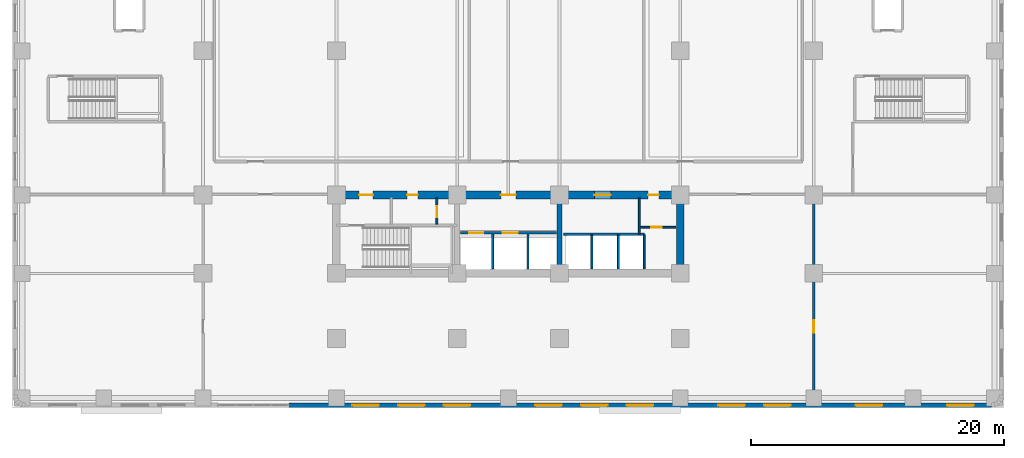
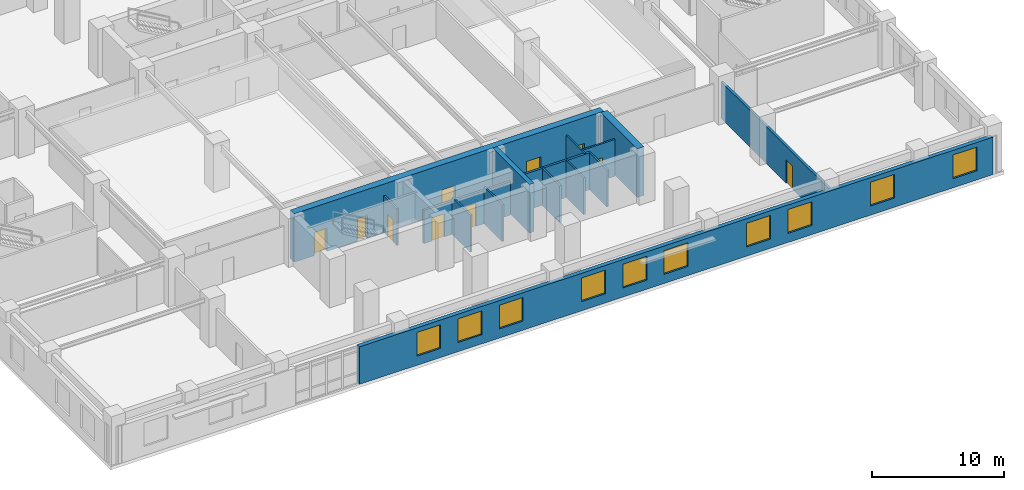
# One storey, part 7 of 15: 15 walls, 10 doors, 10 windows, 20 openings.
"""IFC4 building model written with IfcOpenShell, lengths in metres."""

from ifc_helpers import new_model, si_unit, direction, frame, frame_2d, origin, place, context, subcontext, project, spatial, rectangle, extrude, material, layer, layer_set, type_object, element, fill, save


model = new_model("IFC4")

# Units and contexts
model_context = context("Model", 3, precision=1e-05, world=origin(), true_north=direction((0.0, 1.0)))
body_context = subcontext(model_context, "Body", "Model", "MODEL_VIEW")
ifc_project = project(units=[si_unit("LENGTHUNIT", "METRE"), si_unit("AREAUNIT", "SQUARE_METRE"), si_unit("VOLUMEUNIT", "CUBIC_METRE"), si_unit("PLANEANGLEUNIT", "RADIAN"), si_unit("MASSUNIT", "GRAM", prefix="KILO")], contexts=[model_context])

# Site, building, storey
site_placement = place(None, origin())
site = spatial("IfcSite", under=ifc_project, at=site_placement, CompositionType="ELEMENT")
building_placement = place(site_placement, origin())
building = spatial("IfcBuilding", under=site, at=building_placement, Name="Svetorya Sky Lyceum", CompositionType="ELEMENT")
storey_placement = place(building_placement, frame((0.0, 0.0, 6.60009765625)))
storey = spatial("IfcBuildingStorey", under=building, at=storey_placement, Name="L01", CompositionType="ELEMENT", Elevation=6.60009765625)

# Walls
ifc_material_1 = material(Name="Concrete C40/50", Category="concrete")
ifc_layer_1 = layer(ifc_material_1, 0.39990234375)
ifc_layer_set_1 = layer_set([ifc_layer_1], Name="Concrete C40/50")
wall_type_1 = type_object("IfcWallType", Name="WL-CORE-400", PredefinedType="SHEAR", material=ifc_layer_set_1)
wall_1_placement = place(storey_placement, frame((43.25, 10.89990234375, 0.0), z_axis=(0.0, 0.0, 1.0), x_axis=(0.0, 1.0, 0.0)))
element("IfcWall", 1, at=wall_1_placement, inside=storey, type_object=wall_type_1, Name="L01 SC Internal Shear Web WEB2", PredefinedType="SHEAR", context=body_context, shape_type="SweptSolid", body=[
    extrude(rectangle(XDim=5.60009765625, YDim=0.39990234375, at=frame_2d((2.800048828125, 0.0))), origin(), (0.0, 0.0, 1.0), 4.5),
])
ifc_material_2 = material(Name="Concrete C60/75", Category="concrete")
ifc_layer_2 = layer(ifc_material_2, 0.60009765625)
ifc_layer_set_2 = layer_set([ifc_layer_2], Name="Concrete C60/75")
wall_type_2 = type_object("IfcWallType", Name="WL-CORE-600", PredefinedType="SHEAR", material=ifc_layer_set_2)
wall_2_placement = place(storey_placement, frame((52.800048828125, 10.89990234375, 0.0), z_axis=(0.0, 0.0, 1.0), x_axis=(0.0, 1.0, 0.0)))
element("IfcWall", 2, at=wall_2_placement, inside=storey, type_object=wall_type_2, Name="L01 SC East Core Shear Wall", PredefinedType="SHEAR", context=body_context, shape_type="SweptSolid", body=[
    extrude(rectangle(XDim=5.60009765625, YDim=0.60009765625, at=frame_2d((2.800048828125, 0.0))), origin(), (0.0, 0.0, 1.0), 4.5),
])

# Wall, openings, doors
wall_3_placement = place(storey_placement, frame((25.60009765625, 16.800048828125, 0.0), z_axis=(0.0, 0.0, 1.0), x_axis=(1.0, 0.0, 0.0)))
wall_3 = element("IfcWall", 3, at=wall_3_placement, inside=storey, type_object=wall_type_2, Name="L01 SC Inner Core Shear Wall", PredefinedType="SHEAR", context=body_context, shape_type="SweptSolid", body=[
    extrude(rectangle(XDim=27.199951171875, YDim=0.60009765625, at=frame_2d((13.60009765625, 0.0))), origin(), (0.0, 0.0, 1.0), 4.5),
])
opening_1_placement = place(wall_3_placement, frame((1.800048828125, 0.0, 0.0)))
opening_1 = element("IfcOpeningElement", 4, at=opening_1_placement, cuts=wall_3, Name="Opening D-ST1", PredefinedType="OPENING", context=body_context, shape_type="SweptSolid", body=[
    extrude(rectangle(XDim=1.10009765625, YDim=2.14990234375, at=frame_2d((0.550048828125, 1.074951171875))), frame((0.0, 0.31005859375, 0.0), z_axis=(0.0, -1.0, 0.0), x_axis=(1.0, 0.0, 0.0)), (0.0, 0.0, 1.0), 0.6201171875),
])
opening_2_placement = place(wall_3_placement, frame((5.60009765625, 0.0, 0.0)))
opening_2 = element("IfcOpeningElement", 5, at=opening_2_placement, cuts=wall_3, Name="Opening D-CWC1", PredefinedType="OPENING", context=body_context, shape_type="SweptSolid", body=[
    extrude(rectangle(XDim=0.85009765625, YDim=2.10009765625, at=frame_2d((0.425048828125, 1.050048828125))), frame((0.0, 0.31005859375, 0.0), z_axis=(0.0, -1.0, 0.0), x_axis=(1.0, 0.0, 0.0)), (0.0, 0.0, 1.0), 0.6201171875),
])
opening_3_placement = place(wall_3_placement, frame((13.0, 0.0, 0.0)))
opening_3 = element("IfcOpeningElement", 6, at=opening_3_placement, cuts=wall_3, Name="Opening D-FL1", PredefinedType="OPENING", context=body_context, shape_type="SweptSolid", body=[
    extrude(rectangle(XDim=1.199951171875, YDim=2.14990234375, at=frame_2d((0.60009765625, 1.074951171875))), frame((0.0, 0.31005859375, 0.0), z_axis=(0.0, -1.0, 0.0), x_axis=(1.0, 0.0, 0.0)), (0.0, 0.0, 1.0), 0.6201171875),
])
opening_4_placement = place(wall_3_placement, frame((20.39990234375, 0.0, 0.0)))
opening_4 = element("IfcOpeningElement", 7, at=opening_4_placement, cuts=wall_3, Name="Opening D-LB1", PredefinedType="OPENING", context=body_context, shape_type="SweptSolid", body=[
    extrude(rectangle(XDim=1.300048828125, YDim=2.199951171875, at=frame_2d((0.64990234375, 1.10009765625))), frame((0.0, 0.31005859375, 0.0), z_axis=(0.0, -1.0, 0.0), x_axis=(1.0, 0.0, 0.0)), (0.0, 0.0, 1.0), 0.6201171875),
])
opening_5_placement = place(wall_3_placement, frame((24.64990234375, 0.0, 0.0)))
opening_5 = element("IfcOpeningElement", 8, at=opening_5_placement, cuts=wall_3, Name="Opening D-CWC1", PredefinedType="OPENING", context=body_context, shape_type="SweptSolid", body=[
    extrude(rectangle(XDim=0.85009765625, YDim=2.10009765625, at=frame_2d((0.425048828125, 1.050048828125))), frame((0.0, 0.31005859375, 0.0), z_axis=(0.0, -1.0, 0.0), x_axis=(1.0, 0.0, 0.0)), (0.0, 0.0, 1.0), 0.6201171875),
])
ifc_material_3 = material(Name="Fire-rated galvanized steel core service closet door", Category="steel")
door_type_1 = type_object("IfcDoorType", Name="DR-CWET-850", OperationType="SINGLE_SWING_LEFT", PredefinedType="DOOR", material=ifc_material_3)
door_1_placement = place(opening_2_placement, origin())
door_1 = element("IfcDoor", 9, at=door_1_placement, inside=storey, type_object=door_type_1, Name="L01 South Hydrant Room Door", OperationType="SINGLE_SWING_LEFT", OverallHeight=2.10009765625, OverallWidth=0.85009765625, PredefinedType="DOOR", context=body_context, shape_type="SweptSolid", body=[
    extrude(rectangle(XDim=0.85009765625, YDim=2.10009765625, at=frame_2d((0.425048828125, 1.050048828125))), frame((0.0, 0.02490234375, 0.0), z_axis=(0.0, -1.0, 0.0), x_axis=(1.0, 0.0, 0.0)), (0.0, 0.0, 1.0), 0.050048828125),
])
fill(opening_2, door_1)
door_2_placement = place(opening_5_placement, origin())
door_2 = element("IfcDoor", 10, at=door_2_placement, inside=storey, type_object=door_type_1, Name="L01 South Core Auxiliary Door", OperationType="SINGLE_SWING_LEFT", OverallHeight=2.10009765625, OverallWidth=0.85009765625, PredefinedType="DOOR", context=body_context, shape_type="SweptSolid", body=[
    extrude(rectangle(XDim=0.85009765625, YDim=2.10009765625, at=frame_2d((0.425048828125, 1.050048828125))), frame((0.0, 0.02490234375, 0.0), z_axis=(0.0, -1.0, 0.0), x_axis=(1.0, 0.0, 0.0)), (0.0, 0.0, 1.0), 0.050048828125),
])
fill(opening_5, door_2)
ifc_material_4 = material(Name="Powder-coated insulated galvanized stair fire door")
door_type_2 = type_object("IfcDoorType", Name="DR-FIRE-1100", OperationType="SINGLE_SWING_LEFT", PredefinedType="DOOR", material=ifc_material_4)
door_3_placement = place(opening_1_placement, origin())
door_3 = element("IfcDoor", 11, at=door_3_placement, inside=storey, type_object=door_type_2, Name="L01 South Stair Airlock Door", OperationType="SINGLE_SWING_RIGHT", OverallHeight=2.14990234375, OverallWidth=1.10009765625, PredefinedType="DOOR", context=body_context, shape_type="SweptSolid", body=[
    extrude(rectangle(XDim=1.10009765625, YDim=2.14990234375, at=frame_2d((0.550048828125, 1.074951171875))), frame((0.0, 0.02490234375, 0.0), z_axis=(0.0, -1.0, 0.0), x_axis=(1.0, 0.0, 0.0)), (0.0, 0.0, 1.0), 0.050048828125),
])
fill(opening_1, door_3)
ifc_material_5 = material(Name="Powder-coated insulated galvanized fire door")
door_type_3 = type_object("IfcDoorType", Name="DR-FIRE-1200", OperationType="SINGLE_SWING_LEFT", PredefinedType="DOOR", material=ifc_material_5)
door_4_placement = place(opening_3_placement, origin())
door_4 = element("IfcDoor", 12, at=door_4_placement, inside=storey, type_object=door_type_3, Name="L01 South Firefighting Lift Lobby Door", OperationType="SINGLE_SWING_LEFT", OverallHeight=2.14990234375, OverallWidth=1.199951171875, PredefinedType="DOOR", context=body_context, shape_type="SweptSolid", body=[
    extrude(rectangle(XDim=1.199951171875, YDim=2.14990234375, at=frame_2d((0.60009765625, 1.074951171875))), frame((0.0, 0.02490234375, 0.0), z_axis=(0.0, -1.0, 0.0), x_axis=(1.0, 0.0, 0.0)), (0.0, 0.0, 1.0), 0.050048828125),
])
fill(opening_3, door_4)
ifc_material_6 = material(Name="Glazed fire-rated aluminium lobby door", Category="aluminium")
door_type_4 = type_object("IfcDoorType", Name="DR-LOB-1300", OperationType="SINGLE_SWING_LEFT", PredefinedType="DOOR", material=ifc_material_6)
door_5_placement = place(opening_4_placement, origin())
door_5 = element("IfcDoor", 13, at=door_5_placement, inside=storey, type_object=door_type_4, Name="L01 Low-Rise Lift Lobby Door", OperationType="SINGLE_SWING_RIGHT", OverallHeight=2.199951171875, OverallWidth=1.300048828125, PredefinedType="DOOR", context=body_context, shape_type="SweptSolid", body=[
    extrude(rectangle(XDim=1.300048828125, YDim=2.199951171875, at=frame_2d((0.64990234375, 1.10009765625))), frame((0.0, 0.02490234375, 0.0), z_axis=(0.0, -1.0, 0.0), x_axis=(1.0, 0.0, 0.0)), (0.0, 0.0, 1.0), 0.050048828125),
])
fill(opening_4, door_5)

# Wall, openings, windows
ifc_material_7 = material(Name="Putilovo limestone rainscreen on autoclaved cellular masonry", Category="masonry")
ifc_layer_3 = layer(ifc_material_7, 0.360107421875)
ifc_layer_set_3 = layer_set([ifc_layer_3], Name="Putilovo limestone rainscreen on autoclaved cellular masonry")
wall_type_3 = type_object("IfcWallType", Name="WL-EXT-360", PredefinedType="SOLIDWALL", material=ifc_layer_set_3)
wall_4_placement = place(storey_placement, frame((21.830078125, 0.179931640625, 0.0), z_axis=(0.0, 0.0, 1.0), x_axis=(1.0, 0.0, 0.0)))
wall_4 = element("IfcWall", 14, at=wall_4_placement, inside=storey, type_object=wall_type_3, Name="L01 Limestone Exterior Wall 6B", PredefinedType="SOLIDWALL", context=body_context, shape_type="SweptSolid", body=[
    extrude(rectangle(XDim=55.58984375, YDim=0.360107421875, at=frame_2d((27.794921875, 0.0))), origin(), (0.0, 0.0, 1.0), 3.47998046875),
])
opening_6_placement = place(wall_4_placement, frame((5.029052734375, 0.0, 0.85009765625)))
opening_6 = element("IfcOpeningElement", 15, at=opening_6_placement, cuts=wall_4, Name="Opening W-S3", PredefinedType="OPENING", context=body_context, shape_type="SweptSolid", body=[
    extrude(rectangle(XDim=2.10009765625, YDim=2.199951171875, at=frame_2d((1.050048828125, 1.10009765625))), frame((0.0, 0.18994140625, 0.0), z_axis=(0.0, -1.0, 0.0), x_axis=(1.0, 0.0, 0.0)), (0.0, 0.0, 1.0), 0.380126953125),
])
opening_7_placement = place(wall_4_placement, frame((8.648193359375, 0.0, 0.85009765625)))
opening_7 = element("IfcOpeningElement", 16, at=opening_7_placement, cuts=wall_4, Name="Opening W-S3", PredefinedType="OPENING", context=body_context, shape_type="SweptSolid", body=[
    extrude(rectangle(XDim=2.10009765625, YDim=2.199951171875, at=frame_2d((1.050048828125, 1.10009765625))), frame((0.0, 0.18994140625, 0.0), z_axis=(0.0, -1.0, 0.0), x_axis=(1.0, 0.0, 0.0)), (0.0, 0.0, 1.0), 0.380126953125),
])
opening_8_placement = place(wall_4_placement, frame((12.267578125, 0.0, 0.85009765625)))
opening_8 = element("IfcOpeningElement", 17, at=opening_8_placement, cuts=wall_4, Name="Opening W-S3", PredefinedType="OPENING", context=body_context, shape_type="SweptSolid", body=[
    extrude(rectangle(XDim=2.10009765625, YDim=2.199951171875, at=frame_2d((1.050048828125, 1.10009765625))), frame((0.0, 0.18994140625, 0.0), z_axis=(0.0, -1.0, 0.0), x_axis=(1.0, 0.0, 0.0)), (0.0, 0.0, 1.0), 0.380126953125),
])
opening_9_placement = place(wall_4_placement, frame((19.50634765625, 0.0, 0.85009765625)))
opening_9 = element("IfcOpeningElement", 18, at=opening_9_placement, cuts=wall_4, Name="Opening W-S3", PredefinedType="OPENING", context=body_context, shape_type="SweptSolid", body=[
    extrude(rectangle(XDim=2.10009765625, YDim=2.199951171875, at=frame_2d((1.050048828125, 1.10009765625))), frame((0.0, 0.18994140625, 0.0), z_axis=(0.0, -1.0, 0.0), x_axis=(1.0, 0.0, 0.0)), (0.0, 0.0, 1.0), 0.380126953125),
])
opening_10_placement = place(wall_4_placement, frame((23.125732421875, 0.0, 0.85009765625)))
opening_10 = element("IfcOpeningElement", 19, at=opening_10_placement, cuts=wall_4, Name="Opening W-S3", PredefinedType="OPENING", context=body_context, shape_type="SweptSolid", body=[
    extrude(rectangle(XDim=2.10009765625, YDim=2.199951171875, at=frame_2d((1.050048828125, 1.10009765625))), frame((0.0, 0.18994140625, 0.0), z_axis=(0.0, -1.0, 0.0), x_axis=(1.0, 0.0, 0.0)), (0.0, 0.0, 1.0), 0.380126953125),
])
opening_11_placement = place(wall_4_placement, frame((26.7451171875, 0.0, 0.85009765625)))
opening_11 = element("IfcOpeningElement", 20, at=opening_11_placement, cuts=wall_4, Name="Opening W-S3", PredefinedType="OPENING", context=body_context, shape_type="SweptSolid", body=[
    extrude(rectangle(XDim=2.10009765625, YDim=2.199951171875, at=frame_2d((1.050048828125, 1.10009765625))), frame((0.0, 0.18994140625, 0.0), z_axis=(0.0, -1.0, 0.0), x_axis=(1.0, 0.0, 0.0)), (0.0, 0.0, 1.0), 0.380126953125),
])
opening_12_placement = place(wall_4_placement, frame((33.983642578125, 0.0, 0.85009765625)))
opening_12 = element("IfcOpeningElement", 21, at=opening_12_placement, cuts=wall_4, Name="Opening W-S3", PredefinedType="OPENING", context=body_context, shape_type="SweptSolid", body=[
    extrude(rectangle(XDim=2.10009765625, YDim=2.199951171875, at=frame_2d((1.050048828125, 1.10009765625))), frame((0.0, 0.18994140625, 0.0), z_axis=(0.0, -1.0, 0.0), x_axis=(1.0, 0.0, 0.0)), (0.0, 0.0, 1.0), 0.380126953125),
])
opening_13_placement = place(wall_4_placement, frame((37.60302734375, 0.0, 0.85009765625)))
opening_13 = element("IfcOpeningElement", 22, at=opening_13_placement, cuts=wall_4, Name="Opening W-S3", PredefinedType="OPENING", context=body_context, shape_type="SweptSolid", body=[
    extrude(rectangle(XDim=2.10009765625, YDim=2.199951171875, at=frame_2d((1.050048828125, 1.10009765625))), frame((0.0, 0.18994140625, 0.0), z_axis=(0.0, -1.0, 0.0), x_axis=(1.0, 0.0, 0.0)), (0.0, 0.0, 1.0), 0.380126953125),
])
opening_14_placement = place(wall_4_placement, frame((44.841796875, 0.0, 0.85009765625)))
opening_14 = element("IfcOpeningElement", 23, at=opening_14_placement, cuts=wall_4, Name="Opening W-S3", PredefinedType="OPENING", context=body_context, shape_type="SweptSolid", body=[
    extrude(rectangle(XDim=2.10009765625, YDim=2.199951171875, at=frame_2d((1.050048828125, 1.10009765625))), frame((0.0, 0.18994140625, 0.0), z_axis=(0.0, -1.0, 0.0), x_axis=(1.0, 0.0, 0.0)), (0.0, 0.0, 1.0), 0.380126953125),
])
opening_15_placement = place(wall_4_placement, frame((52.080322265625, 0.0, 0.85009765625)))
opening_15 = element("IfcOpeningElement", 24, at=opening_15_placement, cuts=wall_4, Name="Opening W-S3", PredefinedType="OPENING", context=body_context, shape_type="SweptSolid", body=[
    extrude(rectangle(XDim=2.10009765625, YDim=2.199951171875, at=frame_2d((1.050048828125, 1.10009765625))), frame((0.0, 0.18994140625, 0.0), z_axis=(0.0, -1.0, 0.0), x_axis=(1.0, 0.0, 0.0)), (0.0, 0.0, 1.0), 0.380126953125),
])
ifc_material_8 = material(Name="Thermally broken aluminium frame with triple low-E glazing", Category="aluminium")
window_type = type_object("IfcWindowType", Name="WN-SCH-210", PartitioningType="TRIPLE_PANEL_VERTICAL", PredefinedType="WINDOW", material=ifc_material_8)
window_1_placement = place(opening_6_placement, origin())
window_1 = element("IfcWindow", 25, at=window_1_placement, inside=storey, type_object=window_type, Name="L01 Facade Window W-S3.6B.1", OverallHeight=2.199951171875, OverallWidth=2.10009765625, PartitioningType="SINGLE_PANEL", PredefinedType="WINDOW", context=body_context, shape_type="SweptSolid", body=[
    extrude(rectangle(XDim=2.10009765625, YDim=2.199951171875, at=frame_2d((1.050048828125, 1.10009765625))), frame((0.0, 0.030029296875, 0.0), z_axis=(0.0, -1.0, 0.0), x_axis=(1.0, 0.0, 0.0)), (0.0, 0.0, 1.0), 0.06005859375),
])
fill(opening_6, window_1)
window_2_placement = place(opening_7_placement, origin())
window_2 = element("IfcWindow", 26, at=window_2_placement, inside=storey, type_object=window_type, Name="L01 Facade Window W-S3.6B.2", OverallHeight=2.199951171875, OverallWidth=2.10009765625, PartitioningType="SINGLE_PANEL", PredefinedType="WINDOW", context=body_context, shape_type="SweptSolid", body=[
    extrude(rectangle(XDim=2.10009765625, YDim=2.199951171875, at=frame_2d((1.050048828125, 1.10009765625))), frame((0.0, 0.030029296875, 0.0), z_axis=(0.0, -1.0, 0.0), x_axis=(1.0, 0.0, 0.0)), (0.0, 0.0, 1.0), 0.06005859375),
])
fill(opening_7, window_2)
window_3_placement = place(opening_8_placement, origin())
window_3 = element("IfcWindow", 27, at=window_3_placement, inside=storey, type_object=window_type, Name="L01 Facade Window W-S3.6B.3", OverallHeight=2.199951171875, OverallWidth=2.10009765625, PartitioningType="SINGLE_PANEL", PredefinedType="WINDOW", context=body_context, shape_type="SweptSolid", body=[
    extrude(rectangle(XDim=2.10009765625, YDim=2.199951171875, at=frame_2d((1.050048828125, 1.10009765625))), frame((0.0, 0.030029296875, 0.0), z_axis=(0.0, -1.0, 0.0), x_axis=(1.0, 0.0, 0.0)), (0.0, 0.0, 1.0), 0.06005859375),
])
fill(opening_8, window_3)
window_4_placement = place(opening_9_placement, origin())
window_4 = element("IfcWindow", 28, at=window_4_placement, inside=storey, type_object=window_type, Name="L01 Facade Window W-S3.6B.4", OverallHeight=2.199951171875, OverallWidth=2.10009765625, PartitioningType="SINGLE_PANEL", PredefinedType="WINDOW", context=body_context, shape_type="SweptSolid", body=[
    extrude(rectangle(XDim=2.10009765625, YDim=2.199951171875, at=frame_2d((1.050048828125, 1.10009765625))), frame((0.0, 0.030029296875, 0.0), z_axis=(0.0, -1.0, 0.0), x_axis=(1.0, 0.0, 0.0)), (0.0, 0.0, 1.0), 0.06005859375),
])
fill(opening_9, window_4)
window_5_placement = place(opening_10_placement, origin())
window_5 = element("IfcWindow", 29, at=window_5_placement, inside=storey, type_object=window_type, Name="L01 Facade Window W-S3.6B.5", OverallHeight=2.199951171875, OverallWidth=2.10009765625, PartitioningType="SINGLE_PANEL", PredefinedType="WINDOW", context=body_context, shape_type="SweptSolid", body=[
    extrude(rectangle(XDim=2.10009765625, YDim=2.199951171875, at=frame_2d((1.050048828125, 1.10009765625))), frame((0.0, 0.030029296875, 0.0), z_axis=(0.0, -1.0, 0.0), x_axis=(1.0, 0.0, 0.0)), (0.0, 0.0, 1.0), 0.06005859375),
])
fill(opening_10, window_5)
window_6_placement = place(opening_11_placement, origin())
window_6 = element("IfcWindow", 30, at=window_6_placement, inside=storey, type_object=window_type, Name="L01 Facade Window W-S3.6B.6", OverallHeight=2.199951171875, OverallWidth=2.10009765625, PartitioningType="SINGLE_PANEL", PredefinedType="WINDOW", context=body_context, shape_type="SweptSolid", body=[
    extrude(rectangle(XDim=2.10009765625, YDim=2.199951171875, at=frame_2d((1.050048828125, 1.10009765625))), frame((0.0, 0.030029296875, 0.0), z_axis=(0.0, -1.0, 0.0), x_axis=(1.0, 0.0, 0.0)), (0.0, 0.0, 1.0), 0.06005859375),
])
fill(opening_11, window_6)
window_7_placement = place(opening_12_placement, origin())
window_7 = element("IfcWindow", 31, at=window_7_placement, inside=storey, type_object=window_type, Name="L01 Facade Window W-S3.6B.7", OverallHeight=2.199951171875, OverallWidth=2.10009765625, PartitioningType="SINGLE_PANEL", PredefinedType="WINDOW", context=body_context, shape_type="SweptSolid", body=[
    extrude(rectangle(XDim=2.10009765625, YDim=2.199951171875, at=frame_2d((1.050048828125, 1.10009765625))), frame((0.0, 0.030029296875, 0.0), z_axis=(0.0, -1.0, 0.0), x_axis=(1.0, 0.0, 0.0)), (0.0, 0.0, 1.0), 0.06005859375),
])
fill(opening_12, window_7)
window_8_placement = place(opening_13_placement, origin())
window_8 = element("IfcWindow", 32, at=window_8_placement, inside=storey, type_object=window_type, Name="L01 Facade Window W-S3.6B.8", OverallHeight=2.199951171875, OverallWidth=2.10009765625, PartitioningType="SINGLE_PANEL", PredefinedType="WINDOW", context=body_context, shape_type="SweptSolid", body=[
    extrude(rectangle(XDim=2.10009765625, YDim=2.199951171875, at=frame_2d((1.050048828125, 1.10009765625))), frame((0.0, 0.030029296875, 0.0), z_axis=(0.0, -1.0, 0.0), x_axis=(1.0, 0.0, 0.0)), (0.0, 0.0, 1.0), 0.06005859375),
])
fill(opening_13, window_8)
window_9_placement = place(opening_14_placement, origin())
window_9 = element("IfcWindow", 33, at=window_9_placement, inside=storey, type_object=window_type, Name="L01 Facade Window W-S3.6B.9", OverallHeight=2.199951171875, OverallWidth=2.10009765625, PartitioningType="SINGLE_PANEL", PredefinedType="WINDOW", context=body_context, shape_type="SweptSolid", body=[
    extrude(rectangle(XDim=2.10009765625, YDim=2.199951171875, at=frame_2d((1.050048828125, 1.10009765625))), frame((0.0, 0.030029296875, 0.0), z_axis=(0.0, -1.0, 0.0), x_axis=(1.0, 0.0, 0.0)), (0.0, 0.0, 1.0), 0.06005859375),
])
fill(opening_14, window_9)
window_10_placement = place(opening_15_placement, origin())
window_10 = element("IfcWindow", 34, at=window_10_placement, inside=storey, type_object=window_type, Name="L01 Facade Window W-S3.6B.10", OverallHeight=2.199951171875, OverallWidth=2.10009765625, PartitioningType="SINGLE_PANEL", PredefinedType="WINDOW", context=body_context, shape_type="SweptSolid", body=[
    extrude(rectangle(XDim=2.10009765625, YDim=2.199951171875, at=frame_2d((1.050048828125, 1.10009765625))), frame((0.0, 0.030029296875, 0.0), z_axis=(0.0, -1.0, 0.0), x_axis=(1.0, 0.0, 0.0)), (0.0, 0.0, 1.0), 0.06005859375),
])
fill(opening_15, window_10)

# Wall, opening, door
ifc_material_9 = material(Name="Autoclaved cellular masonry blockwork with acoustic render", Category="masonry")
ifc_layer_4 = layer(ifc_material_9, 0.14990234375)
ifc_layer_set_4 = layer_set([ifc_layer_4], Name="Autoclaved cellular masonry blockwork with acoustic render")
wall_type_4 = type_object("IfcWallType", Name="WL-PART-150", PredefinedType="PARTITIONING", material=ifc_layer_set_4)
wall_5_placement = place(storey_placement, frame((33.550048828125, 14.5, 0.0), z_axis=(0.0, 0.0, 1.0), x_axis=(0.0, 1.0, 0.0)))
wall_5 = element("IfcWall", 35, at=wall_5_placement, inside=storey, type_object=wall_type_4, Name="L01 Interior Partition SC-SWD2", PredefinedType="PARTITIONING", context=body_context, shape_type="SweptSolid", body=[
    extrude(rectangle(XDim=2.080078125, YDim=0.14990234375, at=frame_2d((1.0400390625, 0.0))), origin(), (0.0, 0.0, 1.0), 3.419921875),
])
opening_16_placement = place(wall_5_placement, frame((0.550048828125, 0.0, 0.0)))
opening_16 = element("IfcOpeningElement", 36, at=opening_16_placement, cuts=wall_5, Name="Opening D-SH1", PredefinedType="OPENING", context=body_context, shape_type="SweptSolid", body=[
    extrude(rectangle(XDim=0.85009765625, YDim=2.050048828125, at=frame_2d((0.425048828125, 1.02490234375))), frame((0.0, 0.0849609375, 0.0), z_axis=(0.0, -1.0, 0.0), x_axis=(1.0, 0.0, 0.0)), (0.0, 0.0, 1.0), 0.169921875),
])
ifc_material_10 = material(Name="Insulated galvanized riser inspection fire door")
door_type_5 = type_object("IfcDoorType", Name="DR-SHFT-850", OperationType="SINGLE_SWING_LEFT", PredefinedType="TRAPDOOR", material=ifc_material_10)
door_6_placement = place(opening_16_placement, origin())
door_6 = element("IfcDoor", 37, at=door_6_placement, inside=storey, type_object=door_type_5, Name="L01 South Riser Access Door", OperationType="SINGLE_SWING_RIGHT", OverallHeight=2.050048828125, OverallWidth=0.85009765625, PredefinedType="TRAPDOOR", context=body_context, shape_type="SweptSolid", body=[
    extrude(rectangle(XDim=0.85009765625, YDim=2.050048828125, at=frame_2d((0.425048828125, 1.02490234375))), frame((0.0, 0.02490234375, 0.0), z_axis=(0.0, -1.0, 0.0), x_axis=(1.0, 0.0, 0.0)), (0.0, 0.0, 1.0), 0.050048828125),
])
fill(opening_16, door_6)

# Walls
for number, where, z_axis, x_axis, name in (
    (38, (37.949951171875, 10.949951171875, 0.0), (0.0, 0.0, 1.0), (0.0, 1.0, 0.0), "L01 Interior Partition SC-SHD1"),
    (39, (40.75, 10.949951171875, 0.0), (0.0, 0.0, 1.0), (0.0, 1.0, 0.0), "L01 Interior Partition SC-SHD2"),
):
    element("IfcWall", number, at=place(storey_placement, frame(where, z_axis=z_axis, x_axis=x_axis)), inside=storey, type_object=wall_type_4, Name=name, PredefinedType="PARTITIONING", context=body_context, shape_type="SweptSolid", body=[
        extrude(rectangle(XDim=2.75, YDim=0.14990234375, at=frame_2d((1.375, 0.0))), origin(), (0.0, 0.0, 1.0), 3.419921875),
    ])
for number, where, z_axis, x_axis, name in (
    (40, (45.800048828125, 10.949951171875, 0.0), (0.0, 0.0, 1.0), (0.0, 1.0, 0.0), "L01 Interior Partition SC-PL-DIV1"),
    (41, (47.89990234375, 10.949951171875, 0.0), (0.0, 0.0, 1.0), (0.0, 1.0, 0.0), "L01 Interior Partition SC-PL-DIV2"),
    (42, (49.949951171875, 10.949951171875, 0.0), (0.0, 0.0, 1.0), (0.0, 1.0, 0.0), "L01 Interior Partition SC-PL-END"),
):
    element("IfcWall", number, at=place(storey_placement, frame(where, z_axis=z_axis, x_axis=x_axis)), inside=storey, type_object=wall_type_4, Name=name, PredefinedType="PARTITIONING", context=body_context, shape_type="SweptSolid", body=[
        extrude(rectangle(XDim=2.699951171875, YDim=0.14990234375, at=frame_2d((1.35009765625, 0.0))), origin(), (0.0, 0.0, 1.0), 3.419921875),
    ])
wall_6_placement = place(storey_placement, frame((49.550048828125, 13.699951171875, 0.0), z_axis=(0.0, 0.0, 1.0), x_axis=(0.0, 1.0, 0.0)))
element("IfcWall", 43, at=wall_6_placement, inside=storey, type_object=wall_type_4, Name="L01 Interior Partition SC-AUX-V", PredefinedType="PARTITIONING", context=body_context, shape_type="SweptSolid", body=[
    extrude(rectangle(XDim=2.880126953125, YDim=0.14990234375, at=frame_2d((1.43994140625, 0.0))), origin(), (0.0, 0.0, 1.0), 3.419921875),
])

# Wall, opening, door
wall_7_placement = place(storey_placement, frame((49.60009765625, 14.25, 0.0), z_axis=(0.0, 0.0, 1.0), x_axis=(1.0, 0.0, 0.0)))
wall_7 = element("IfcWall", 44, at=wall_7_placement, inside=storey, type_object=wall_type_4, Name="L01 Interior Partition SC-AUX-H2", PredefinedType="PARTITIONING", context=body_context, shape_type="SweptSolid", body=[
    extrude(rectangle(XDim=2.849853515625, YDim=0.14990234375, at=frame_2d((1.4248046875, 0.0))), origin(), (0.0, 0.0, 1.0), 3.419921875),
])
opening_17_placement = place(wall_7_placement, frame((0.89990234375, 0.0, 0.0)))
opening_17 = element("IfcOpeningElement", 45, at=opening_17_placement, cuts=wall_7, Name="Opening D-CWC1", PredefinedType="OPENING", context=body_context, shape_type="SweptSolid", body=[
    extrude(rectangle(XDim=0.85009765625, YDim=2.10009765625, at=frame_2d((0.425048828125, 1.050048828125))), frame((0.0, 0.0849609375, 0.0), z_axis=(0.0, -1.0, 0.0), x_axis=(1.0, 0.0, 0.0)), (0.0, 0.0, 1.0), 0.169921875),
])
door_7_placement = place(opening_17_placement, origin())
door_7 = element("IfcDoor", 46, at=door_7_placement, inside=storey, type_object=door_type_1, Name="L01 South Telecom Room Door", OperationType="SINGLE_SWING_RIGHT", OverallHeight=2.10009765625, OverallWidth=0.85009765625, PredefinedType="DOOR", context=body_context, shape_type="SweptSolid", body=[
    extrude(rectangle(XDim=0.85009765625, YDim=2.10009765625, at=frame_2d((0.425048828125, 1.050048828125))), frame((0.0, 0.02490234375, 0.0), z_axis=(0.0, -1.0, 0.0), x_axis=(1.0, 0.0, 0.0)), (0.0, 0.0, 1.0), 0.050048828125),
])
fill(opening_17, door_7)

# Wall, openings, doors
ifc_material_11 = material(Name="Autoclaved cellular masonry blockwork with gypsum plaster", Category="masonry")
ifc_layer_5 = layer(ifc_material_11, 0.199951171875)
ifc_layer_set_5 = layer_set([ifc_layer_5], Name="Autoclaved cellular masonry blockwork with gypsum plaster")
wall_type_5 = type_object("IfcWallType", Name="WL-PART-200", PredefinedType="PARTITIONING", material=ifc_layer_set_5)
wall_8_placement = place(storey_placement, frame((35.39990234375, 13.800048828125, 0.0), z_axis=(0.0, 0.0, 1.0), x_axis=(1.0, 0.0, 0.0)))
wall_8 = element("IfcWall", 47, at=wall_8_placement, inside=storey, type_object=wall_type_5, Name="L01 Interior Partition SC-FLW", PredefinedType="PARTITIONING", context=body_context, shape_type="SweptSolid", body=[
    extrude(rectangle(XDim=7.60009765625, YDim=0.199951171875, at=frame_2d((3.800048828125, 0.0))), origin(), (0.0, 0.0, 1.0), 3.079833984375),
])
opening_18_placement = place(wall_8_placement, frame((0.699951171875, 0.0, 0.0)))
opening_18 = element("IfcOpeningElement", 48, at=opening_18_placement, cuts=wall_8, Name="Opening LD-FL", PredefinedType="OPENING", context=body_context, shape_type="SweptSolid", body=[
    extrude(rectangle(XDim=1.10009765625, YDim=2.14990234375, at=frame_2d((0.550048828125, 1.074951171875))), frame((0.0, 0.10986328125, 0.0), z_axis=(0.0, -1.0, 0.0), x_axis=(1.0, 0.0, 0.0)), (0.0, 0.0, 1.0), 0.219970703125),
])
opening_19_placement = place(wall_8_placement, frame((3.35009765625, 0.0, 0.0)))
opening_19 = element("IfcOpeningElement", 49, at=opening_19_placement, cuts=wall_8, Name="Opening LD-SV", PredefinedType="OPENING", context=body_context, shape_type="SweptSolid", body=[
    extrude(rectangle(XDim=1.199951171875, YDim=2.14990234375, at=frame_2d((0.60009765625, 1.074951171875))), frame((0.0, 0.10986328125, 0.0), z_axis=(0.0, -1.0, 0.0), x_axis=(1.0, 0.0, 0.0)), (0.0, 0.0, 1.0), 0.219970703125),
])
ifc_material_12 = material(Name="Fire-rated stainless AISI 304 firefighting lift landing door")
door_type_6 = type_object("IfcDoorType", Name="DR-LIFT-1100", OperationType="SLIDING_TO_LEFT", PredefinedType="DOOR", material=ifc_material_12)
door_8_placement = place(opening_18_placement, origin())
door_8 = element("IfcDoor", 50, at=door_8_placement, inside=storey, type_object=door_type_6, Name="L01 Firefighting Lift FL2 Landing Door", OperationType="SLIDING_TO_LEFT", OverallHeight=2.14990234375, OverallWidth=1.10009765625, PredefinedType="DOOR", context=body_context, shape_type="SweptSolid", body=[
    extrude(rectangle(XDim=1.10009765625, YDim=2.14990234375, at=frame_2d((0.550048828125, 1.074951171875))), frame((0.0, 0.02490234375, 0.0), z_axis=(0.0, -1.0, 0.0), x_axis=(1.0, 0.0, 0.0)), (0.0, 0.0, 1.0), 0.050048828125),
])
fill(opening_18, door_8)
ifc_material_13 = material(Name="Brushed stainless AISI 304 telescopic lift landing door")
door_type_7 = type_object("IfcDoorType", Name="DR-LIFT-1200", OperationType="SLIDING_TO_LEFT", PredefinedType="DOOR", material=ifc_material_13)
door_9_placement = place(opening_19_placement, origin())
door_9 = element("IfcDoor", 51, at=door_9_placement, inside=storey, type_object=door_type_7, Name="L01 Service Lift SVL1 Landing Door", OperationType="SLIDING_TO_LEFT", OverallHeight=2.14990234375, OverallWidth=1.199951171875, PredefinedType="DOOR", context=body_context, shape_type="SweptSolid", body=[
    extrude(rectangle(XDim=1.199951171875, YDim=2.14990234375, at=frame_2d((0.60009765625, 1.074951171875))), frame((0.0, 0.02490234375, 0.0), z_axis=(0.0, -1.0, 0.0), x_axis=(1.0, 0.0, 0.0)), (0.0, 0.0, 1.0), 0.050048828125),
])
fill(opening_19, door_9)

# Wall
wall_9_placement = place(storey_placement, frame((43.550048828125, 13.699951171875, 0.0), z_axis=(0.0, 0.0, 1.0), x_axis=(1.0, 0.0, 0.0)))
element("IfcWall", 52, at=wall_9_placement, inside=storey, type_object=wall_type_5, Name="L01 Interior Partition SC-PLW", PredefinedType="PARTITIONING", context=body_context, shape_type="SweptSolid", body=[
    extrude(rectangle(XDim=6.39990234375, YDim=0.199951171875, at=frame_2d((3.199951171875, 0.0))), origin(), (0.0, 0.0, 1.0), 3.419921875),
])

# Wall, opening, door
wall_10_placement = place(storey_placement, frame((63.35009765625, 0.39990234375, 0.0), z_axis=(0.0, 0.0, 1.0), x_axis=(0.0, 1.0, 0.0)))
wall_10 = element("IfcWall", 53, at=wall_10_placement, inside=storey, type_object=wall_type_5, Name="L01 Interior Partition SE-DIV", PredefinedType="PARTITIONING", context=body_context, shape_type="SweptSolid", body=[
    extrude(rectangle(XDim=16.400146484375, YDim=0.199951171875, at=frame_2d((8.2001953125, 0.0))), origin(), (0.0, 0.0, 1.0), 3.419921875),
])
opening_20_placement = place(wall_10_placement, frame((5.5, 0.0, 0.0)))
opening_20 = element("IfcOpeningElement", 54, at=opening_20_placement, cuts=wall_10, Name="Opening D-RM2", PredefinedType="OPENING", context=body_context, shape_type="SweptSolid", body=[
    extrude(rectangle(XDim=1.0, YDim=2.14990234375, at=frame_2d((0.5, 1.074951171875))), frame((0.0, 0.10986328125, 0.0), z_axis=(0.0, -1.0, 0.0), x_axis=(1.0, 0.0, 0.0)), (0.0, 0.0, 1.0), 0.219970703125),
])
ifc_material_14 = material(Name="Solid-core oak acoustic room door")
door_type_8 = type_object("IfcDoorType", Name="DR-INT-1000", OperationType="SINGLE_SWING_LEFT", PredefinedType="DOOR", material=ifc_material_14)
door_10_placement = place(opening_20_placement, origin())
door_10 = element("IfcDoor", 55, at=door_10_placement, inside=storey, type_object=door_type_8, Name="L01 Classroom SE2 Door", OperationType="SINGLE_SWING_LEFT", OverallHeight=2.14990234375, OverallWidth=1.0, PredefinedType="DOOR", context=body_context, shape_type="SweptSolid", body=[
    extrude(rectangle(XDim=1.0, YDim=2.14990234375, at=frame_2d((0.5, 1.074951171875))), frame((0.0, 0.02490234375, 0.0), z_axis=(0.0, -1.0, 0.0), x_axis=(1.0, 0.0, 0.0)), (0.0, 0.0, 1.0), 0.050048828125),
])
fill(opening_20, door_10)

save(model, "model.ifc")
